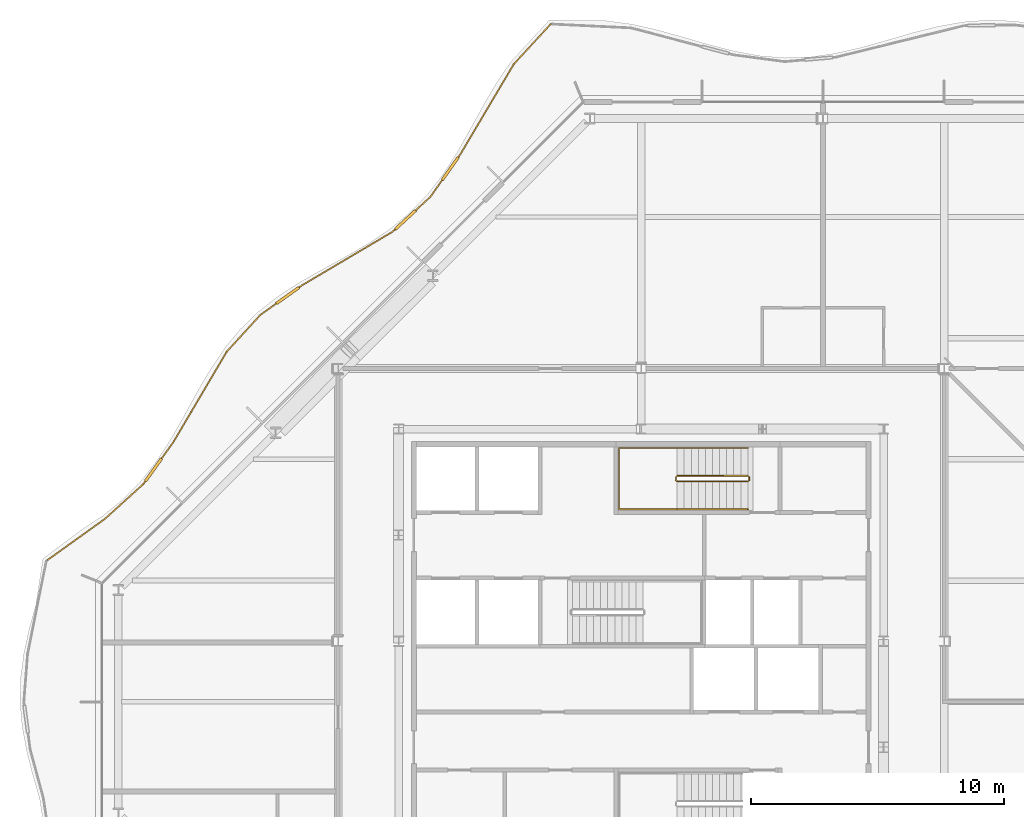
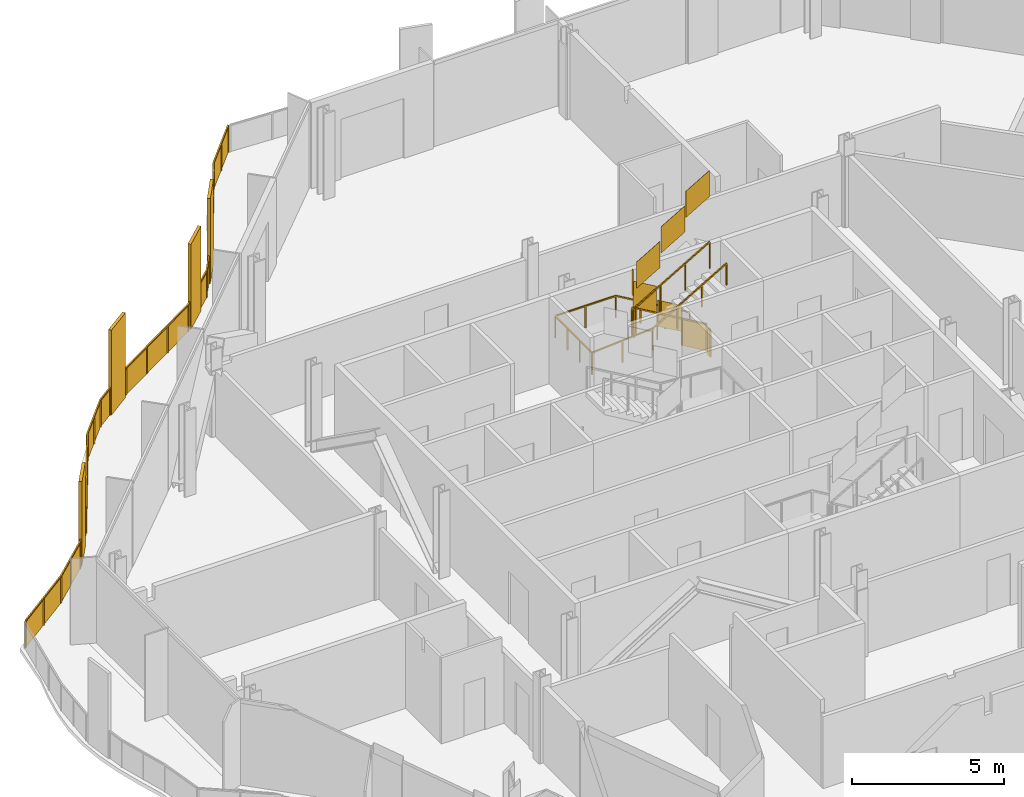
# One storey, part 16 of 17: 4 railings.
"""IFC4 building model written with IfcOpenShell, lengths in metres."""

from ifc_helpers import new_model, si_unit, direction, frame, origin, origin_2d, place, context, subcontext, project, spatial, polyline, rectangle, outline, extrude, material, type_object, element, save


model = new_model("IFC4")

# Units and contexts
model_context = context("Model", 3, precision=1e-05, world=origin(), true_north=direction((0.0, 1.0)))
body_context = subcontext(model_context, "Body", "Model", "MODEL_VIEW")
ifc_project = project(units=[si_unit("LENGTHUNIT", "METRE"), si_unit("AREAUNIT", "SQUARE_METRE"), si_unit("VOLUMEUNIT", "CUBIC_METRE"), si_unit("PLANEANGLEUNIT", "RADIAN"), si_unit("MASSUNIT", "GRAM", prefix="KILO")], contexts=[model_context])

# Site, building, storey
site_placement = place(None, origin())
site = spatial("IfcSite", under=ifc_project, at=site_placement, CompositionType="ELEMENT")
building_placement = place(site_placement, origin())
building = spatial("IfcBuilding", under=site, at=building_placement, Name="Cairn Pilgrim Tower", CompositionType="ELEMENT")
storey_placement = place(building_placement, frame((0.0, 0.0, 217.800048828125)))
storey = spatial("IfcBuildingStorey", under=building, at=storey_placement, Name="L55", CompositionType="ELEMENT", Elevation=217.800048828125)

# Railings
ifc_material_1 = material(Name="Bronze anodised aluminium rail, posts and fin screens with laminated glass infill", Category="aluminium")
railing_type_1 = type_object("IfcRailingType", Name="BALCONY GUARD WITH FIN SCREENS", PredefinedType="GUARDRAIL", material=ifc_material_1)
railing_1_placement = place(storey_placement, frame((3.622314453125, 26.84130859375, 0.0)))
element("IfcRailing", 1, at=railing_1_placement, inside=storey, type_object=railing_type_1, Name="Balcony guard BGF-6 with fin screens", PredefinedType="GUARDRAIL", context=body_context, shape_type="SweptSolid", body=[
    extrude(rectangle(XDim=0.050048828125, YDim=0.050048828125, at=origin_2d()), frame((0.0, 0.0, 1.0751953125), z_axis=(-0.677665450308, -0.735370340345, 0.0), x_axis=(0.735370340345, -0.677665450308, 0.0)), (0.0, 0.0, 1.0), 2.161865234375),
    extrude(rectangle(XDim=0.050048828125, YDim=0.050048828125, at=origin_2d()), frame((-1.465087890625, -1.58984375, 1.0751953125), z_axis=(-0.509989804492, -0.860180445787, 0.0), x_axis=(0.860180445787, -0.509989804492, 0.0)), (0.0, 0.0, 1.0), 4.141845703125),
    extrude(rectangle(XDim=1.10009765625, YDim=0.110107421875, at=origin_2d()), frame((-3.980224609375, -5.725341796875, 0.0), z_axis=(0.0, 0.0, 1.0), x_axis=(-0.575358586084, -0.817901276084, 0.0)), (0.0, 0.0, 1.0), 3.39990234375),
    extrude(rectangle(XDim=0.050048828125, YDim=0.050048828125, at=origin_2d()), frame((-3.577392578125, -5.152587890625, 1.0751953125), z_axis=(-0.575358586084, -0.817901276084, 0.0), x_axis=(0.817901276084, -0.575358586084, 0.0)), (0.0, 0.0, 1.0), 0.150146484375),
    extrude(rectangle(XDim=0.050048828125, YDim=0.050048828125, at=origin_2d()), frame((-4.296630859375, -6.175048828125, 1.0751953125), z_axis=(-0.575358586084, -0.817901276084, 0.0), x_axis=(0.817901276084, -0.575358586084, 0.0)), (0.0, 0.0, 1.0), 0.813232421875),
    extrude(rectangle(XDim=1.10009765625, YDim=0.110107421875, at=origin_2d()), frame((-5.75244140625, -7.753173828125, 0.0), z_axis=(0.0, 0.0, 1.0), x_axis=(-0.734437122813, -0.678676736477, 0.0)), (0.0, 0.0, 1.0), 3.39990234375),
    extrude(rectangle(XDim=0.050048828125, YDim=0.050048828125, at=origin_2d()), frame((-4.7646484375, -6.84033203125, 1.0751953125), z_axis=(-0.734437122813, -0.678676736477, 0.0), x_axis=(0.678676736477, -0.734437122813, 0.0)), (0.0, 0.0, 1.0), 0.794921875),
    extrude(rectangle(XDim=0.050048828125, YDim=0.050048828125, at=origin_2d()), frame((-6.15625, -8.126220703125, 1.0751953125), z_axis=(-0.734437122813, -0.678676736477, 0.0), x_axis=(0.678676736477, -0.734437122813, 0.0)), (0.0, 0.0, 1.0), 0.14990234375),
    extrude(rectangle(XDim=0.050048828125, YDim=0.050048828125, at=origin_2d()), frame((-6.266357421875, -8.22802734375, 1.0751953125), z_axis=(-0.860725637115, -0.50906912852, 0.0), x_axis=(0.50906912852, -0.860725637115, 0.0)), (0.0, 0.0, 1.0), 4.162841796875),
    extrude(rectangle(XDim=1.10009765625, YDim=0.110107421875, at=origin_2d()), frame((-10.42041015625, -10.752197265625, 0.0), z_axis=(0.0, 0.0, 1.0), x_axis=(-0.815601066097, -0.578614639446, 0.0)), (0.0, 0.0, 1.0), 3.39990234375),
    extrude(rectangle(XDim=0.050048828125, YDim=0.050048828125, at=origin_2d()), frame((-9.849365234375, -10.34716796875, 1.0751953125), z_axis=(-0.815601066097, -0.578614639446, 0.0), x_axis=(0.578614639446, -0.815601066097, 0.0)), (0.0, 0.0, 1.0), 0.150146484375),
    extrude(rectangle(XDim=0.050048828125, YDim=0.050048828125, at=origin_2d()), frame((-10.869140625, -11.070556640625, 1.0751953125), z_axis=(-0.815601066097, -0.578614639446, 0.0), x_axis=(0.578614639446, -0.815601066097, 0.0)), (0.0, 0.0, 1.0), 0.76806640625),
    extrude(rectangle(XDim=0.050048828125, YDim=0.050048828125, at=origin_2d()), frame((-11.495361328125, -11.514892578125, 1.0751953125), z_axis=(-0.674993485658, -0.737823687827, 0.0), x_axis=(0.737823687827, -0.674993485658, 0.0)), (0.0, 0.0, 1.0), 1.981689453125),
    extrude(rectangle(XDim=0.050048828125, YDim=0.050048828125, at=origin_2d()), frame((-12.8330078125, -12.97705078125, 1.0751953125), z_axis=(-0.508123958138, -0.861283950371, 0.0), x_axis=(0.861283950371, -0.508123958138, 0.0)), (0.0, 0.0, 1.0), 4.14501953125),
    extrude(rectangle(XDim=1.10009765625, YDim=0.110107421875, at=origin_2d()), frame((-15.731689453125, -17.654296875, 0.0), z_axis=(0.0, 0.0, 1.0), x_axis=(-0.581943728073, -0.813229055898, 0.0)), (0.0, 0.0, 1.0), 3.39990234375),
    extrude(rectangle(XDim=0.050048828125, YDim=0.050048828125, at=origin_2d()), frame((-14.939208984375, -16.547119140625, 1.0751953125), z_axis=(-0.581943728073, -0.813229055898, 0.0), x_axis=(0.813229055898, -0.581943728073, 0.0)), (0.0, 0.0, 1.0), 0.8115234375),
    extrude(rectangle(XDim=0.050048828125, YDim=0.050048828125, at=origin_2d()), frame((-16.0517578125, -18.1015625, 1.0751953125), z_axis=(-0.581943728073, -0.813229055898, 0.0), x_axis=(0.813229055898, -0.581943728073, 0.0)), (0.0, 0.0, 1.0), 0.14990234375),
    extrude(rectangle(XDim=0.050048828125, YDim=0.050048828125, at=origin_2d()), frame((-16.138916015625, -18.2236328125, 1.0751953125), z_axis=(-0.741158270819, -0.671330334185, 0.0), x_axis=(0.671330334185, -0.741158270819, 0.0)), (0.0, 0.0, 1.0), 2.038330078125),
    extrude(rectangle(XDim=0.050048828125, YDim=0.050048828125, at=origin_2d()), frame((-17.649658203125, -19.592041015625, 1.0751953125), z_axis=(-0.812638574062, -0.582768005253, 0.0), x_axis=(0.582768005253, -0.812638574062, 0.0)), (0.0, 0.0, 1.0), 2.805908203125),
    extrude(rectangle(XDim=0.050048828125, YDim=0.050048828125, at=origin_2d()), origin(), (0.0, 0.0, 1.0), 1.050048828125),
    extrude(rectangle(XDim=0.050048828125, YDim=0.050048828125, at=origin_2d()), frame((-0.732421875, -0.794921875, 0.0)), (0.0, 0.0, 1.0), 1.050048828125),
    extrude(rectangle(XDim=0.050048828125, YDim=0.050048828125, at=origin_2d()), frame((-1.465087890625, -1.58984375, 0.0)), (0.0, 0.0, 1.0), 1.050048828125),
    extrude(rectangle(XDim=0.050048828125, YDim=0.050048828125, at=origin_2d()), frame((-2.169189453125, -2.77734375, 0.0)), (0.0, 0.0, 1.0), 1.050048828125),
    extrude(rectangle(XDim=0.050048828125, YDim=0.050048828125, at=origin_2d()), frame((-2.873291015625, -3.965087890625, 0.0)), (0.0, 0.0, 1.0), 1.050048828125),
    extrude(rectangle(XDim=0.050048828125, YDim=0.050048828125, at=origin_2d()), frame((-3.577392578125, -5.152587890625, 0.0)), (0.0, 0.0, 1.0), 1.050048828125),
    extrude(rectangle(XDim=0.050048828125, YDim=0.050048828125, at=origin_2d()), frame((-3.6494140625, -5.2548828125, 0.0)), (0.0, 0.0, 1.0), 1.050048828125),
    extrude(rectangle(XDim=0.050048828125, YDim=0.050048828125, at=origin_2d()), frame((-4.31103515625, -6.195556640625, 0.0)), (0.0, 0.0, 1.0), 1.050048828125),
    extrude(rectangle(XDim=0.050048828125, YDim=0.050048828125, at=origin_2d()), frame((-4.7646484375, -6.84033203125, 0.0)), (0.0, 0.0, 1.0), 1.050048828125),
    extrude(rectangle(XDim=0.050048828125, YDim=0.050048828125, at=origin_2d()), frame((-5.330078125, -7.36279296875, 0.0)), (0.0, 0.0, 1.0), 1.050048828125),
    extrude(rectangle(XDim=0.050048828125, YDim=0.050048828125, at=origin_2d()), frame((-6.1748046875, -8.143310546875, 0.0)), (0.0, 0.0, 1.0), 1.050048828125),
    extrude(rectangle(XDim=0.050048828125, YDim=0.050048828125, at=origin_2d()), frame((-6.266357421875, -8.22802734375, 0.0)), (0.0, 0.0, 1.0), 1.050048828125),
    extrude(rectangle(XDim=0.050048828125, YDim=0.050048828125, at=origin_2d()), frame((-7.460693359375, -8.934326171875, 0.0)), (0.0, 0.0, 1.0), 1.050048828125),
    extrude(rectangle(XDim=0.050048828125, YDim=0.050048828125, at=origin_2d()), frame((-8.655029296875, -9.640869140625, 0.0)), (0.0, 0.0, 1.0), 1.050048828125),
    extrude(rectangle(XDim=0.050048828125, YDim=0.050048828125, at=origin_2d()), frame((-9.849365234375, -10.34716796875, 0.0)), (0.0, 0.0, 1.0), 1.050048828125),
    extrude(rectangle(XDim=0.050048828125, YDim=0.050048828125, at=origin_2d()), frame((-9.951416015625, -10.419677734375, 0.0)), (0.0, 0.0, 1.0), 1.050048828125),
    extrude(rectangle(XDim=0.050048828125, YDim=0.050048828125, at=origin_2d()), frame((-10.889404296875, -11.0849609375, 0.0)), (0.0, 0.0, 1.0), 1.050048828125),
    extrude(rectangle(XDim=0.050048828125, YDim=0.050048828125, at=origin_2d()), frame((-11.495361328125, -11.514892578125, 0.0)), (0.0, 0.0, 1.0), 1.050048828125),
    extrude(rectangle(XDim=0.050048828125, YDim=0.050048828125, at=origin_2d()), frame((-12.1640625, -12.24609375, 0.0)), (0.0, 0.0, 1.0), 1.050048828125),
    extrude(rectangle(XDim=0.050048828125, YDim=0.050048828125, at=origin_2d()), frame((-12.8330078125, -12.97705078125, 0.0)), (0.0, 0.0, 1.0), 1.050048828125),
    extrude(rectangle(XDim=0.050048828125, YDim=0.050048828125, at=origin_2d()), frame((-13.53515625, -14.1669921875, 0.0)), (0.0, 0.0, 1.0), 1.050048828125),
    extrude(rectangle(XDim=0.050048828125, YDim=0.050048828125, at=origin_2d()), frame((-14.237060546875, -15.357177734375, 0.0)), (0.0, 0.0, 1.0), 1.050048828125),
    extrude(rectangle(XDim=0.050048828125, YDim=0.050048828125, at=origin_2d()), frame((-14.939208984375, -16.547119140625, 0.0)), (0.0, 0.0, 1.0), 1.050048828125),
    extrude(rectangle(XDim=0.050048828125, YDim=0.050048828125, at=origin_2d()), frame((-15.39697265625, -17.186767578125, 0.0)), (0.0, 0.0, 1.0), 1.050048828125),
    extrude(rectangle(XDim=0.050048828125, YDim=0.050048828125, at=origin_2d()), frame((-16.066162109375, -18.1220703125, 0.0)), (0.0, 0.0, 1.0), 1.050048828125),
    extrude(rectangle(XDim=0.050048828125, YDim=0.050048828125, at=origin_2d()), frame((-16.138916015625, -18.2236328125, 0.0)), (0.0, 0.0, 1.0), 1.050048828125),
    extrude(rectangle(XDim=0.050048828125, YDim=0.050048828125, at=origin_2d()), frame((-16.894287109375, -18.90771484375, 0.0)), (0.0, 0.0, 1.0), 1.050048828125),
    extrude(rectangle(XDim=0.050048828125, YDim=0.050048828125, at=origin_2d()), frame((-17.649658203125, -19.592041015625, 0.0)), (0.0, 0.0, 1.0), 1.050048828125),
    extrude(rectangle(XDim=0.050048828125, YDim=0.050048828125, at=origin_2d()), frame((-18.789794921875, -20.40966796875, 0.0)), (0.0, 0.0, 1.0), 1.050048828125),
    extrude(rectangle(XDim=0.050048828125, YDim=0.050048828125, at=origin_2d()), frame((-19.929931640625, -21.227294921875, 0.0)), (0.0, 0.0, 1.0), 1.050048828125),
    extrude(outline(polyline([(0.02490234375, 0.0), (1.055908203125, 0.0), (1.055908203125, 1.050048828125), (0.02490234375, 1.050048828125), (0.02490234375, 0.0)])), frame((0.00439453125, -0.004150390625, 0.0), z_axis=(-0.735370340345, 0.677665450308, 0.0), x_axis=(-0.677665450308, -0.735370340345, 0.0)), (0.0, 0.0, 1.0), 0.011962890625),
    extrude(outline(polyline([(0.02490234375, 0.0), (1.055908203125, 0.0), (1.055908203125, 1.050048828125), (0.02490234375, 1.050048828125), (0.02490234375, 0.0)])), frame((-0.72802734375, -0.799072265625, 0.0), z_axis=(-0.735370340345, 0.677665450308, 0.0), x_axis=(-0.677665450308, -0.735370340345, 0.0)), (0.0, 0.0, 1.0), 0.011962890625),
    extrude(outline(polyline([(0.02490234375, 0.0), (1.355712890625, 0.0), (1.355712890625, 1.050048828125), (0.02490234375, 1.050048828125), (0.02490234375, 0.0)])), frame((-1.4599609375, -1.5927734375, 0.0), z_axis=(-0.860180445787, 0.509989804492, 0.0), x_axis=(-0.509989804492, -0.860180445787, 0.0)), (0.0, 0.0, 1.0), 0.011962890625),
    extrude(outline(polyline([(0.02490234375, 0.0), (1.355712890625, 0.0), (1.355712890625, 1.050048828125), (0.02490234375, 1.050048828125), (0.02490234375, 0.0)])), frame((-2.1640625, -2.780517578125, 0.0), z_axis=(-0.860180445787, 0.509989804492, 0.0), x_axis=(-0.509989804492, -0.860180445787, 0.0)), (0.0, 0.0, 1.0), 0.011962890625),
    extrude(outline(polyline([(0.02490234375, 0.0), (1.355712890625, 0.0), (1.355712890625, 1.050048828125), (0.02490234375, 1.050048828125), (0.02490234375, 0.0)])), frame((-2.8681640625, -3.968017578125, 0.0), z_axis=(-0.860180445787, 0.509989804492, 0.0), x_axis=(-0.509989804492, -0.860180445787, 0.0)), (0.0, 0.0, 1.0), 0.011962890625),
    extrude(outline(polyline([(0.02490234375, 0.0), (0.10009765625, 0.0), (0.10009765625, 1.050048828125), (0.02490234375, 1.050048828125), (0.02490234375, 0.0)])), frame((-3.572509765625, -5.156005859375, 0.0), z_axis=(-0.817901276084, 0.575358586084, 0.0), x_axis=(-0.575358586084, -0.817901276084, 0.0)), (0.0, 0.0, 1.0), 0.011962890625),
    extrude(outline(polyline([(0.02490234375, 0.0), (0.76318359375, 0.0), (0.76318359375, 1.050048828125), (0.02490234375, 1.050048828125), (0.02490234375, 0.0)])), frame((-4.30615234375, -6.198974609375, 0.0), z_axis=(-0.817901276084, 0.575358586084, 0.0), x_axis=(-0.575358586084, -0.817901276084, 0.0)), (0.0, 0.0, 1.0), 0.011962890625),
    extrude(outline(polyline([(0.02490234375, 0.0), (0.744873046875, 0.0), (0.744873046875, 1.050048828125), (0.02490234375, 1.050048828125), (0.02490234375, 0.0)])), frame((-4.760498046875, -6.8447265625, 0.0), z_axis=(-0.678676736477, 0.734437122813, 0.0), x_axis=(-0.734437122813, -0.678676736477, 0.0)), (0.0, 0.0, 1.0), 0.011962890625),
    extrude(outline(polyline([(0.02490234375, 0.0), (0.099853515625, 0.0), (0.099853515625, 1.050048828125), (0.02490234375, 1.050048828125), (0.02490234375, 0.0)])), frame((-6.170654296875, -8.147705078125, 0.0), z_axis=(-0.678676736477, 0.734437122813, 0.0), x_axis=(-0.734437122813, -0.678676736477, 0.0)), (0.0, 0.0, 1.0), 0.011962890625),
    extrude(outline(polyline([(0.02490234375, 0.0), (1.362548828125, 0.0), (1.362548828125, 1.050048828125), (0.02490234375, 1.050048828125), (0.02490234375, 0.0)])), frame((-6.263427734375, -8.233154296875, 0.0), z_axis=(-0.50906912852, 0.860725637115, 0.0), x_axis=(-0.860725637115, -0.50906912852, 0.0)), (0.0, 0.0, 1.0), 0.011962890625),
    extrude(outline(polyline([(0.02490234375, 0.0), (1.362548828125, 0.0), (1.362548828125, 1.050048828125), (0.02490234375, 1.050048828125), (0.02490234375, 0.0)])), frame((-7.457763671875, -8.939453125, 0.0), z_axis=(-0.50906912852, 0.860725637115, 0.0), x_axis=(-0.860725637115, -0.50906912852, 0.0)), (0.0, 0.0, 1.0), 0.011962890625),
    extrude(outline(polyline([(0.02490234375, 0.0), (1.362548828125, 0.0), (1.362548828125, 1.050048828125), (0.02490234375, 1.050048828125), (0.02490234375, 0.0)])), frame((-8.652099609375, -9.64599609375, 0.0), z_axis=(-0.50906912852, 0.860725637115, 0.0), x_axis=(-0.860725637115, -0.50906912852, 0.0)), (0.0, 0.0, 1.0), 0.011962890625),
    extrude(outline(polyline([(0.02490234375, 0.0), (0.10009765625, 0.0), (0.10009765625, 1.050048828125), (0.02490234375, 1.050048828125), (0.02490234375, 0.0)])), frame((-9.845947265625, -10.35205078125, 0.0), z_axis=(-0.578614639446, 0.815601066097, 0.0), x_axis=(-0.815601066097, -0.578614639446, 0.0)), (0.0, 0.0, 1.0), 0.011962890625),
    extrude(outline(polyline([(0.02490234375, 0.0), (0.718017578125, 0.0), (0.718017578125, 1.050048828125), (0.02490234375, 1.050048828125), (0.02490234375, 0.0)])), frame((-10.885986328125, -11.08984375, 0.0), z_axis=(-0.578614639446, 0.815601066097, 0.0), x_axis=(-0.815601066097, -0.578614639446, 0.0)), (0.0, 0.0, 1.0), 0.011962890625),
    extrude(outline(polyline([(0.02490234375, 0.0), (0.9658203125, 0.0), (0.9658203125, 1.050048828125), (0.02490234375, 1.050048828125), (0.02490234375, 0.0)])), frame((-11.490966796875, -11.51904296875, 0.0), z_axis=(-0.737823687827, 0.674993485658, 0.0), x_axis=(-0.674993485658, -0.737823687827, 0.0)), (0.0, 0.0, 1.0), 0.011962890625),
    extrude(outline(polyline([(0.02490234375, 0.0), (0.9658203125, 0.0), (0.9658203125, 1.050048828125), (0.02490234375, 1.050048828125), (0.02490234375, 0.0)])), frame((-12.15966796875, -12.25, 0.0), z_axis=(-0.737823687827, 0.674993485658, 0.0), x_axis=(-0.674993485658, -0.737823687827, 0.0)), (0.0, 0.0, 1.0), 0.011962890625),
    extrude(outline(polyline([(0.02490234375, 0.0), (1.356689453125, 0.0), (1.356689453125, 1.050048828125), (0.02490234375, 1.050048828125), (0.02490234375, 0.0)])), frame((-12.827880859375, -12.97998046875, 0.0), z_axis=(-0.861283950371, 0.508123958138, 0.0), x_axis=(-0.508123958138, -0.861283950371, 0.0)), (0.0, 0.0, 1.0), 0.011962890625),
    extrude(outline(polyline([(0.02490234375, 0.0), (1.356689453125, 0.0), (1.356689453125, 1.050048828125), (0.02490234375, 1.050048828125), (0.02490234375, 0.0)])), frame((-13.530029296875, -14.170166015625, 0.0), z_axis=(-0.861283950371, 0.508123958138, 0.0), x_axis=(-0.508123958138, -0.861283950371, 0.0)), (0.0, 0.0, 1.0), 0.011962890625),
    extrude(outline(polyline([(0.02490234375, 0.0), (1.356689453125, 0.0), (1.356689453125, 1.050048828125), (0.02490234375, 1.050048828125), (0.02490234375, 0.0)])), frame((-14.23193359375, -15.360107421875, 0.0), z_axis=(-0.861283950371, 0.508123958138, 0.0), x_axis=(-0.508123958138, -0.861283950371, 0.0)), (0.0, 0.0, 1.0), 0.011962890625),
    extrude(outline(polyline([(0.02490234375, 0.0), (0.761474609375, 0.0), (0.761474609375, 1.050048828125), (0.02490234375, 1.050048828125), (0.02490234375, 0.0)])), frame((-14.934326171875, -16.550537109375, 0.0), z_axis=(-0.813229055898, 0.581943728073, 0.0), x_axis=(-0.581943728073, -0.813229055898, 0.0)), (0.0, 0.0, 1.0), 0.011962890625),
    extrude(outline(polyline([(0.02490234375, 0.0), (0.099853515625, 0.0), (0.099853515625, 1.050048828125), (0.02490234375, 1.050048828125), (0.02490234375, 0.0)])), frame((-16.061279296875, -18.12548828125, 0.0), z_axis=(-0.813229055898, 0.581943728073, 0.0), x_axis=(-0.581943728073, -0.813229055898, 0.0)), (0.0, 0.0, 1.0), 0.011962890625),
    extrude(outline(polyline([(0.02490234375, 0.0), (0.994140625, 0.0), (0.994140625, 1.050048828125), (0.02490234375, 1.050048828125), (0.02490234375, 0.0)])), frame((-16.135009765625, -18.22802734375, 0.0), z_axis=(-0.671330334185, 0.741158270819, 0.0), x_axis=(-0.741158270819, -0.671330334185, 0.0)), (0.0, 0.0, 1.0), 0.011962890625),
    extrude(outline(polyline([(0.02490234375, 0.0), (0.994140625, 0.0), (0.994140625, 1.050048828125), (0.02490234375, 1.050048828125), (0.02490234375, 0.0)])), frame((-16.890380859375, -18.912353515625, 0.0), z_axis=(-0.671330334185, 0.741158270819, 0.0), x_axis=(-0.741158270819, -0.671330334185, 0.0)), (0.0, 0.0, 1.0), 0.011962890625),
    extrude(outline(polyline([(0.02490234375, 0.0), (1.3779296875, 0.0), (1.3779296875, 1.050048828125), (0.02490234375, 1.050048828125), (0.02490234375, 0.0)])), frame((-17.646240234375, -19.596923828125, 0.0), z_axis=(-0.582768005253, 0.812638574062, 0.0), x_axis=(-0.812638574062, -0.582768005253, 0.0)), (0.0, 0.0, 1.0), 0.011962890625),
    extrude(outline(polyline([(0.02490234375, 0.0), (1.3779296875, 0.0), (1.3779296875, 1.050048828125), (0.02490234375, 1.050048828125), (0.02490234375, 0.0)])), frame((-18.786376953125, -20.41455078125, 0.0), z_axis=(-0.582768005253, 0.812638574062, 0.0), x_axis=(-0.812638574062, -0.582768005253, 0.0)), (0.0, 0.0, 1.0), 0.011962890625),
])
ifc_material_2 = material(Name="Painted steel", Category="steel")
railing_type_2 = type_object("IfcRailingType", Name="STAIR GUARD 1100", PredefinedType="GUARDRAIL", material=ifc_material_2)
railing_2_placement = place(storey_placement, frame((11.425048828125, 8.949951171875, 0.16357421875)))
element("IfcRailing", 2, at=railing_2_placement, inside=storey, type_object=railing_type_2, Name="L55 ST-C stair guard 1", PredefinedType="GUARDRAIL", context=body_context, shape_type="SweptSolid", body=[
    extrude(rectangle(XDim=0.048095703125, YDim=0.048095703125, at=origin_2d()), frame((0.0, 0.0, 1.076171875), z_axis=(-0.863360870873, 0.0, 0.504586966384), x_axis=(0.0, -1.0, 0.0)), (0.0, 0.0, 1.0), 3.2431640625),
    extrude(rectangle(XDim=0.048095703125, YDim=0.048095703125, at=origin_2d()), frame((-2.800048828125, 0.0, 2.71240234375), z_axis=(-0.707106781187, -0.707106781187, 0.0), x_axis=(0.707106781187, -0.707106781187, 0.0)), (0.0, 0.0, 1.0), 0.07080078125),
    extrude(rectangle(XDim=0.048095703125, YDim=0.048095703125, at=origin_2d()), frame((-2.85009765625, -0.050048828125, 2.71240234375), z_axis=(0.0, -1.0, 0.0), x_axis=(1.0, 0.0, 0.0)), (0.0, 0.0, 1.0), 0.125),
    extrude(rectangle(XDim=0.048095703125, YDim=0.048095703125, at=origin_2d()), frame((-2.85009765625, -0.175048828125, 2.71240234375), z_axis=(0.280916556609, -0.279546231943, 0.91811752648), x_axis=(0.705375805398, 0.708833529934, 0.0)), (0.0, 0.0, 1.0), 0.17822265625),
    extrude(rectangle(XDim=0.048095703125, YDim=0.048095703125, at=origin_2d()), frame((-2.800048828125, -0.224853515625, 2.8759765625), z_axis=(0.863393664356, 0.0, 0.504530851732), x_axis=(0.0, 1.0, 0.0)), (0.0, 0.0, 1.0), 3.2431640625),
    extrude(rectangle(XDim=0.0419921875, YDim=0.0419921875, at=origin_2d()), origin(), (0.0, 0.0, 1.0), 1.052001953125),
    extrude(rectangle(XDim=0.0419921875, YDim=0.0419921875, at=origin_2d()), frame((-0.933349609375, 0.0, 0.54541015625)), (0.0, 0.0, 1.0), 1.052001953125),
    extrude(rectangle(XDim=0.0419921875, YDim=0.0419921875, at=origin_2d()), frame((-1.86669921875, 0.0, 1.091064453125)), (0.0, 0.0, 1.0), 1.052001953125),
    extrude(rectangle(XDim=0.0419921875, YDim=0.0419921875, at=origin_2d()), frame((-2.800048828125, 0.0, 1.636474609375)), (0.0, 0.0, 1.0), 1.052001953125),
    extrude(rectangle(XDim=0.0419921875, YDim=0.0419921875, at=origin_2d()), frame((-2.85009765625, -0.050048828125, 1.636474609375)), (0.0, 0.0, 1.0), 1.052001953125),
    extrude(rectangle(XDim=0.0419921875, YDim=0.0419921875, at=origin_2d()), frame((-2.85009765625, -0.175048828125, 1.636474609375)), (0.0, 0.0, 1.0), 1.052001953125),
    extrude(rectangle(XDim=0.0419921875, YDim=0.0419921875, at=origin_2d()), frame((-2.800048828125, -0.224853515625, 1.800048828125)), (0.0, 0.0, 1.0), 1.052001953125),
    extrude(rectangle(XDim=0.0419921875, YDim=0.0419921875, at=origin_2d()), frame((-1.86669921875, -0.224853515625, 2.345458984375)), (0.0, 0.0, 1.0), 1.052001953125),
    extrude(rectangle(XDim=0.0419921875, YDim=0.0419921875, at=origin_2d()), frame((-0.933349609375, -0.224853515625, 2.890869140625)), (0.0, 0.0, 1.0), 1.052001953125),
    extrude(rectangle(XDim=0.0419921875, YDim=0.0419921875, at=origin_2d()), frame((0.0, -0.224853515625, 3.436279296875)), (0.0, 0.0, 1.0), 1.052001953125),
    extrude(outline(polyline([(0.02099609375, 0.01220703125), (0.912353515625, 0.533203125), (0.912353515625, 1.585205078125), (0.02099609375, 1.064208984375), (0.02099609375, 0.01220703125)])), frame((0.0, -0.005859375, 0.0), z_axis=(0.0, 1.0, 0.0), x_axis=(-1.0, 0.0, 0.0)), (0.0, 0.0, 1.0), 0.011962890625),
    extrude(outline(polyline([(0.02099609375, 0.557861328125), (0.912353515625, 1.07861328125), (0.912353515625, 2.130615234375), (0.02099609375, 1.60986328125), (0.02099609375, 0.557861328125)])), frame((-0.933349609375, -0.005859375, 0.54541015625), z_axis=(0.0, 1.0, 0.0), x_axis=(-1.0, 0.0, 0.0)), (0.0, 0.0, 1.0), 0.011962890625),
    extrude(outline(polyline([(0.02099609375, 1.103271484375), (0.912353515625, 1.624267578125), (0.912353515625, 2.67626953125), (0.02099609375, 2.1552734375), (0.02099609375, 1.103271484375)])), frame((-1.86669921875, -0.005859375, 1.091064453125), z_axis=(0.0, 1.0, 0.0), x_axis=(-1.0, 0.0, 0.0)), (0.0, 0.0, 1.0), 0.011962890625),
    extrude(outline(polyline([(0.02099609375, 1.636474609375), (0.10400390625, 1.636474609375), (0.10400390625, 2.6884765625), (0.02099609375, 2.6884765625), (0.02099609375, 1.636474609375)])), frame((-2.84423828125, -0.050048828125, 1.636474609375), z_axis=(-1.0, 0.0, 0.0), x_axis=(0.0, -1.0, 0.0)), (0.0, 0.0, 1.0), 0.011962890625),
    extrude(outline(polyline([(0.02099609375, 1.812255859375), (0.912353515625, 2.333251953125), (0.912353515625, 3.38525390625), (0.02099609375, 2.8642578125), (0.02099609375, 1.812255859375)])), frame((-2.800048828125, -0.21875, 1.800048828125), z_axis=(0.0, -1.0, 0.0), x_axis=(1.0, 0.0, 0.0)), (0.0, 0.0, 1.0), 0.011962890625),
    extrude(outline(polyline([(0.02099609375, 2.357666015625), (0.912353515625, 2.878662109375), (0.912353515625, 3.9306640625), (0.02099609375, 3.40966796875), (0.02099609375, 2.357666015625)])), frame((-1.86669921875, -0.21875, 2.345458984375), z_axis=(0.0, -1.0, 0.0), x_axis=(1.0, 0.0, 0.0)), (0.0, 0.0, 1.0), 0.011962890625),
    extrude(outline(polyline([(0.02099609375, 2.903076171875), (0.912353515625, 3.424072265625), (0.912353515625, 4.47607421875), (0.02099609375, 3.955078125), (0.02099609375, 2.903076171875)])), frame((-0.933349609375, -0.21875, 2.890869140625), z_axis=(0.0, -1.0, 0.0), x_axis=(1.0, 0.0, 0.0)), (0.0, 0.0, 1.0), 0.011962890625),
])
railing_3_placement = place(storey_placement, frame((11.47509765625, 8.89990234375, 0.0)))
element("IfcRailing", 3, at=railing_3_placement, inside=storey, type_object=railing_type_2, Name="L55 ST-C stair guard 2", PredefinedType="GUARDRAIL", context=body_context, shape_type="SweptSolid", body=[
    extrude(rectangle(XDim=0.048095703125, YDim=0.048095703125, at=origin_2d()), frame((0.0, 0.0, 1.076171875), z_axis=(0.0, -1.0, 0.0), x_axis=(1.0, 0.0, 0.0)), (0.0, 0.0, 1.0), 0.125),
    extrude(rectangle(XDim=0.0419921875, YDim=0.0419921875, at=origin_2d()), origin(), (0.0, 0.0, 1.0), 1.052001953125),
    extrude(rectangle(XDim=0.0419921875, YDim=0.0419921875, at=origin_2d()), frame((0.0, -0.125, 0.0)), (0.0, 0.0, 1.0), 1.052001953125),
    extrude(outline(polyline([(0.02099609375, 0.0), (0.10400390625, 0.0), (0.10400390625, 1.052001953125), (0.02099609375, 1.052001953125), (0.02099609375, 0.0)])), frame((0.005859375, 0.0, 0.0), z_axis=(-1.0, 0.0, 0.0), x_axis=(0.0, -1.0, 0.0)), (0.0, 0.0, 1.0), 0.011962890625),
])
railing_type_3 = type_object("IfcRailingType", Name="STAIR HANDRAIL 900", PredefinedType="HANDRAIL", material=ifc_material_2)
railing_4_placement = place(storey_placement, frame((11.425048828125, 10.050048828125, 0.16357421875)))
element("IfcRailing", 4, at=railing_4_placement, inside=storey, type_object=railing_type_3, Name="L55 ST-C stair handrail 1", PredefinedType="HANDRAIL", context=body_context, shape_type="SweptSolid", body=[
    extrude(rectangle(XDim=0.048095703125, YDim=0.048095703125, at=origin_2d()), frame((0.0, 0.0, 0.8759765625), z_axis=(-0.863360870873, 0.0, 0.504586966384), x_axis=(0.0, -1.0, 0.0)), (0.0, 0.0, 1.0), 3.2431640625),
    extrude(rectangle(XDim=0.048095703125, YDim=0.048095703125, at=origin_2d()), frame((-2.800048828125, 0.0, 2.51220703125), z_axis=(-1.0, 0.0, 0.0), x_axis=(0.0, -1.0, 0.0)), (0.0, 0.0, 1.0), 2.300048828125),
    extrude(rectangle(XDim=0.048095703125, YDim=0.048095703125, at=origin_2d()), frame((-5.10009765625, 0.0, 2.51220703125), z_axis=(0.0, -1.0, 0.0), x_axis=(1.0, 0.0, 0.0)), (0.0, 0.0, 1.0), 2.425048828125),
    extrude(rectangle(XDim=0.048095703125, YDim=0.048095703125, at=origin_2d()), frame((-5.10009765625, -2.425048828125, 2.51220703125), z_axis=(0.997480687736, 0.0, 0.070938548008), x_axis=(0.0, 1.0, 0.0)), (0.0, 0.0, 1.0), 2.305908203125),
    extrude(rectangle(XDim=0.048095703125, YDim=0.048095703125, at=origin_2d()), frame((-2.800048828125, -2.425048828125, 2.67578125), z_axis=(0.863393664356, 0.0, 0.504530851732), x_axis=(0.0, 1.0, 0.0)), (0.0, 0.0, 1.0), 3.2431640625),
    extrude(rectangle(XDim=0.0419921875, YDim=0.0419921875, at=origin_2d()), origin(), (0.0, 0.0, 1.0), 0.851806640625),
    extrude(rectangle(XDim=0.0419921875, YDim=0.0419921875, at=origin_2d()), frame((-0.933349609375, 0.0, 0.54541015625)), (0.0, 0.0, 1.0), 0.851806640625),
    extrude(rectangle(XDim=0.0419921875, YDim=0.0419921875, at=origin_2d()), frame((-1.86669921875, 0.0, 1.091064453125)), (0.0, 0.0, 1.0), 0.851806640625),
    extrude(rectangle(XDim=0.0419921875, YDim=0.0419921875, at=origin_2d()), frame((-2.800048828125, 0.0, 1.636474609375)), (0.0, 0.0, 1.0), 0.851806640625),
    extrude(rectangle(XDim=0.0419921875, YDim=0.0419921875, at=origin_2d()), frame((-3.9501953125, 0.0, 1.636474609375)), (0.0, 0.0, 1.0), 0.851806640625),
    extrude(rectangle(XDim=0.0419921875, YDim=0.0419921875, at=origin_2d()), frame((-5.10009765625, 0.0, 1.636474609375)), (0.0, 0.0, 1.0), 0.851806640625),
    extrude(rectangle(XDim=0.0419921875, YDim=0.0419921875, at=origin_2d()), frame((-5.10009765625, -0.808349609375, 1.636474609375)), (0.0, 0.0, 1.0), 0.851806640625),
    extrude(rectangle(XDim=0.0419921875, YDim=0.0419921875, at=origin_2d()), frame((-5.10009765625, -1.61669921875, 1.636474609375)), (0.0, 0.0, 1.0), 0.851806640625),
    extrude(rectangle(XDim=0.0419921875, YDim=0.0419921875, at=origin_2d()), frame((-5.10009765625, -2.425048828125, 1.636474609375)), (0.0, 0.0, 1.0), 0.851806640625),
    extrude(rectangle(XDim=0.0419921875, YDim=0.0419921875, at=origin_2d()), frame((-3.9501953125, -2.425048828125, 1.71826171875)), (0.0, 0.0, 1.0), 0.851806640625),
    extrude(rectangle(XDim=0.0419921875, YDim=0.0419921875, at=origin_2d()), frame((-2.800048828125, -2.425048828125, 1.800048828125)), (0.0, 0.0, 1.0), 0.851806640625),
    extrude(rectangle(XDim=0.0419921875, YDim=0.0419921875, at=origin_2d()), frame((-1.86669921875, -2.425048828125, 2.345458984375)), (0.0, 0.0, 1.0), 0.851806640625),
    extrude(rectangle(XDim=0.0419921875, YDim=0.0419921875, at=origin_2d()), frame((-0.933349609375, -2.425048828125, 2.890869140625)), (0.0, 0.0, 1.0), 0.851806640625),
    extrude(rectangle(XDim=0.0419921875, YDim=0.0419921875, at=origin_2d()), frame((0.0, -2.425048828125, 3.436279296875)), (0.0, 0.0, 1.0), 0.851806640625),
])

save(model, "model.ifc")
